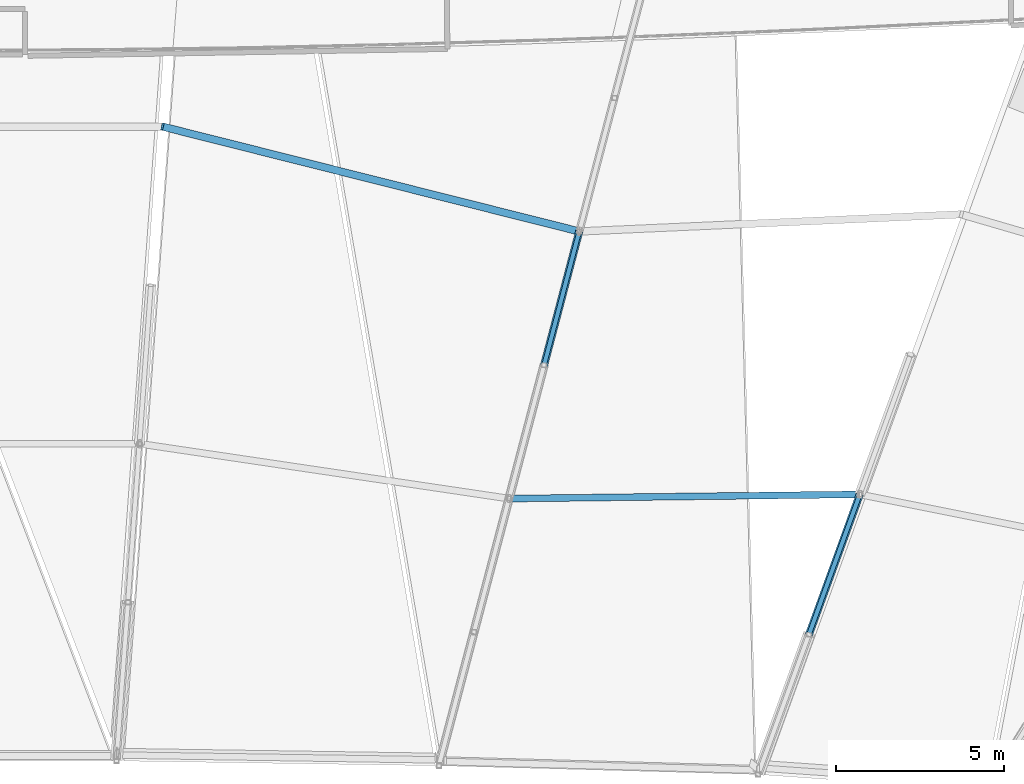
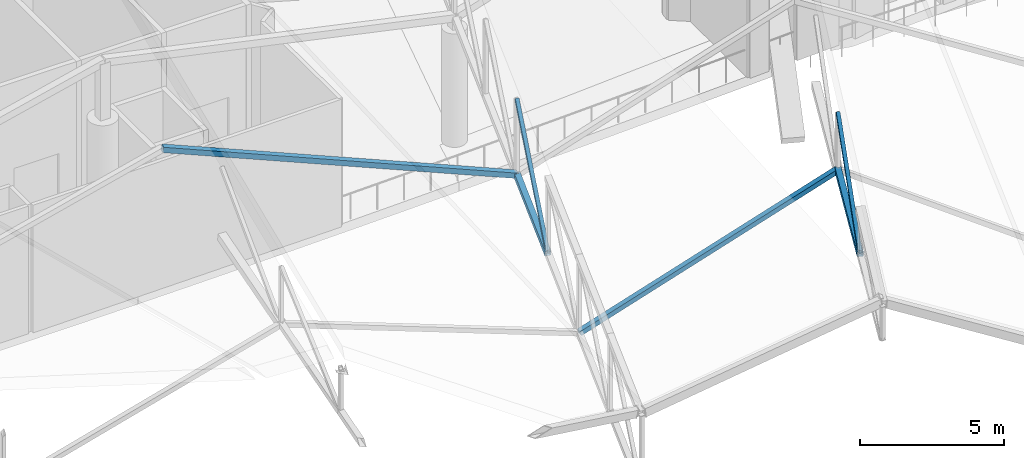
# One storey, part 156 of 344: 6 members.
"""IFC4 building model written with IfcOpenShell, lengths in metres."""

from ifc_helpers import new_model, si_unit, direction, frame, origin, origin_2d, place, context, subcontext, project, spatial, hollow_rectangle, extrude, material, material_profile, profile_set, type_object, element, save


model = new_model("IFC4")

# Units and contexts
model_context = context("Model", 3, precision=1e-05, world=origin(), true_north=direction((0.0, 1.0)))
body_context = subcontext(model_context, "Body", "Model", "MODEL_VIEW")
ifc_project = project(units=[si_unit("LENGTHUNIT", "METRE"), si_unit("AREAUNIT", "SQUARE_METRE"), si_unit("VOLUMEUNIT", "CUBIC_METRE"), si_unit("PLANEANGLEUNIT", "RADIAN"), si_unit("MASSUNIT", "GRAM", prefix="KILO")], contexts=[model_context])

# Site, building, storey
site_placement = place(None, origin())
site = spatial("IfcSite", under=ifc_project, at=site_placement, CompositionType="ELEMENT")
building_placement = place(site_placement, origin())
building = spatial("IfcBuilding", under=site, at=building_placement, Name="Meseta Stadium", CompositionType="ELEMENT")
storey_placement = place(building_placement, frame((0.0, 0.0, 24.0)))
storey = spatial("IfcBuildingStorey", under=building, at=storey_placement, Name="L04", CompositionType="ELEMENT", Elevation=24.0)

# Members
ifc_material_1 = material(Name="Steel S355", Category="steel")
ifc_material_profile_1 = material_profile(ifc_material_1, hollow_rectangle(XDim=0.139892578125, YDim=0.139892578125, WallThickness=0.0048828125, at=origin_2d()), Name="SHS 140x140x5")
ifc_profile_set_1 = profile_set([ifc_material_profile_1], Name="Steel S355")
member_type_1 = type_object("IfcMemberType", Name="SHS 140x140x5 diagonal", PredefinedType="BRACE", material=ifc_profile_set_1)
member_1_placement = place(storey_placement, frame((25.390380859375, 69.7392578125, 5.589111328125), z_axis=(0.284060066981, 0.78263414382, 0.55388958762), x_axis=(-0.939999305221, 0.341176356426, 0.0)))
element("IfcMember", 1, at=member_1_placement, inside=storey, type_object=member_type_1, Name="ROOF TRUSS RT-16 diagonal", PredefinedType="BRACE", context=body_context, shape_type="SweptSolid", body=[
    extrude(hollow_rectangle(XDim=0.139892578125, YDim=0.139892578125, WallThickness=0.0048828125, at=origin_2d()), origin(), (0.0, 0.0, 1.0), 5.318359375),
])
member_2_placement = place(storey_placement, frame((17.51953125, 77.74658203125, 3.5263671875), z_axis=(0.187132982676, 0.711972258141, 0.676813674826), x_axis=(-0.967150765776, 0.254203454457, 0.0)))
element("IfcMember", 2, at=member_2_placement, inside=storey, type_object=member_type_1, Name="ROOF TRUSS RT-17 diagonal", PredefinedType="BRACE", context=body_context, shape_type="SweptSolid", body=[
    extrude(hollow_rectangle(XDim=0.139892578125, YDim=0.139892578125, WallThickness=0.0048828125, at=origin_2d()), origin(), (0.0, 0.0, 1.0), 5.575927734375),
])
ifc_material_2 = material(Name="Steel S355", Category="steel")
ifc_material_profile_2 = material_profile(ifc_material_2, hollow_rectangle(XDim=0.199951171875, YDim=0.199951171875, WallThickness=0.008056640625, at=origin_2d()), Name="SHS 200x200x8")
ifc_profile_set_2 = profile_set([ifc_material_profile_2], Name="Steel S355")
member_type_2 = type_object("IfcMemberType", Name="SHS 200x200x8 strut", PredefinedType="STRUT", material=ifc_profile_set_2)
member_3_placement = place(storey_placement, frame((26.901123046875, 73.901611328125, 6.12548828125), z_axis=(-0.956608773584, -0.011470344077, -0.291149593009), x_axis=(0.011989770433, -0.999928120119, 0.0)))
element("IfcMember", 3, at=member_3_placement, inside=storey, type_object=member_type_2, Name="ROOF TRUSS STRUT RT-16/17", PredefinedType="STRUT", context=body_context, shape_type="SweptSolid", body=[
    extrude(hollow_rectangle(XDim=0.199951171875, YDim=0.199951171875, WallThickness=0.008056640625, at=origin_2d()), origin(), (0.0, 0.0, 1.0), 10.897705078125),
])
ifc_material_3 = material(Name="Steel S355", Category="steel")
ifc_material_profile_3 = material_profile(ifc_material_3, hollow_rectangle(XDim=0.219970703125, YDim=0.219970703125, WallThickness=0.008056640625, at=origin_2d()), Name="SHS 220x220x8")
ifc_profile_set_3 = profile_set([ifc_material_profile_3], Name="Steel S355")
member_type_3 = type_object("IfcMemberType", Name="SHS 220x220x8 bottom chord", PredefinedType="CHORD", material=ifc_profile_set_3)
member_4_placement = place(storey_placement, frame((25.390380859375, 69.7392578125, 5.589111328125), z_axis=(0.338700537674, 0.933178000454, 0.120252921989), x_axis=(-0.939999305221, 0.341176356426, 0.0)))
element("IfcMember", 4, at=member_4_placement, inside=storey, type_object=member_type_3, Name="ROOF TRUSS RT-16 bottom chord", PredefinedType="CHORD", context=body_context, shape_type="SweptSolid", body=[
    extrude(hollow_rectangle(XDim=0.219970703125, YDim=0.219970703125, WallThickness=0.008056640625, at=origin_2d()), origin(), (0.0, 0.0, 1.0), 4.46044921875),
])
member_5_placement = place(storey_placement, frame((17.51953125, 77.74658203125, 3.5263671875), z_axis=(0.251754175042, 0.957832157312, 0.138482467366), x_axis=(-0.967150765776, 0.254203454457, 0.0)))
element("IfcMember", 5, at=member_5_placement, inside=storey, type_object=member_type_3, Name="ROOF TRUSS RT-17 bottom chord", PredefinedType="CHORD", context=body_context, shape_type="SweptSolid", body=[
    extrude(hollow_rectangle(XDim=0.219970703125, YDim=0.219970703125, WallThickness=0.008056640625, at=origin_2d()), origin(), (0.0, 0.0, 1.0), 4.144775390625),
])
ifc_material_4 = material(Name="Steel S355", Category="steel")
ifc_material_profile_4 = material_profile(ifc_material_4, hollow_rectangle(XDim=0.219970703125, YDim=0.219970703125, WallThickness=0.008056640625, at=origin_2d()), Name="SHS 220x220x8")
ifc_profile_set_4 = profile_set([ifc_material_profile_4], Name="Steel S355")
member_type_4 = type_object("IfcMemberType", Name="SHS 220x220x8 strut", PredefinedType="STRUT", material=ifc_profile_set_4)
member_6_placement = place(storey_placement, frame((18.56298828125, 81.716552734375, 4.100341796875), z_axis=(-0.934475047731, 0.235128950224, 0.267340161468), x_axis=(-0.244010386636, -0.969772618305, 0.0)))
element("IfcMember", 6, at=member_6_placement, inside=storey, type_object=member_type_4, Name="ROOF TRUSS STRUT RT-17/18", PredefinedType="STRUT", context=body_context, shape_type="SweptSolid", body=[
    extrude(hollow_rectangle(XDim=0.219970703125, YDim=0.219970703125, WallThickness=0.008056640625, at=origin_2d()), origin(), (0.0, 0.0, 1.0), 13.25634765625),
])

save(model, "model.ifc")
